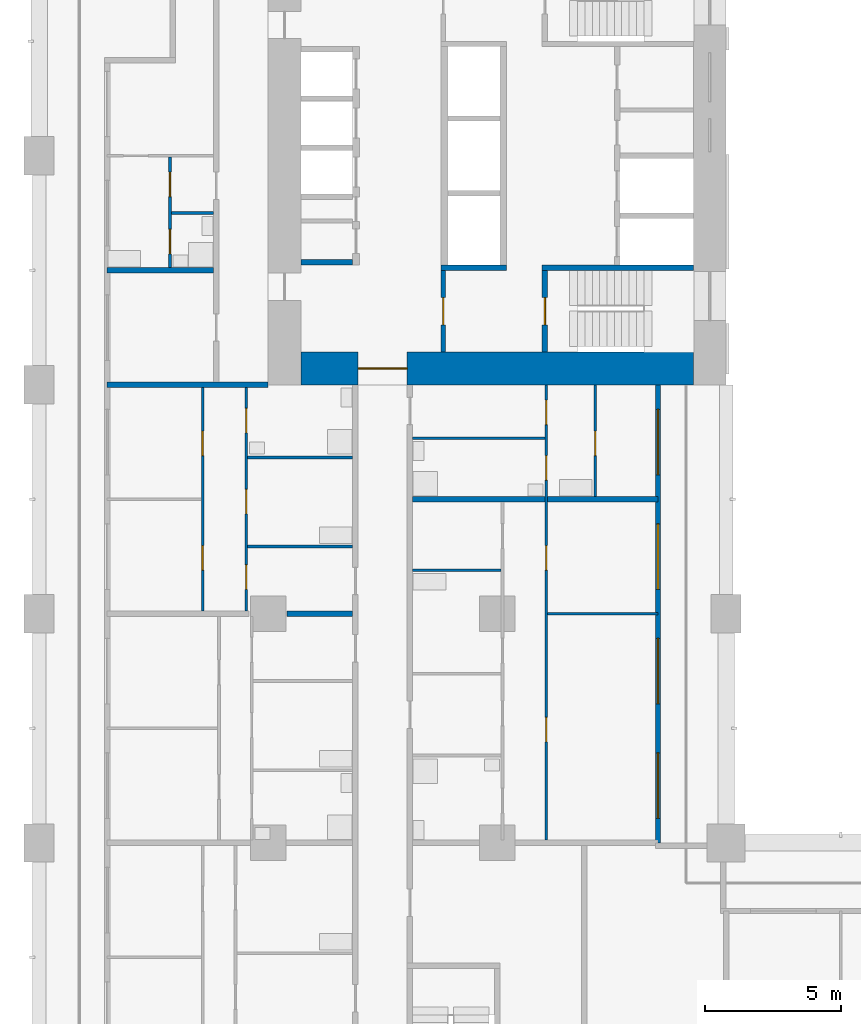
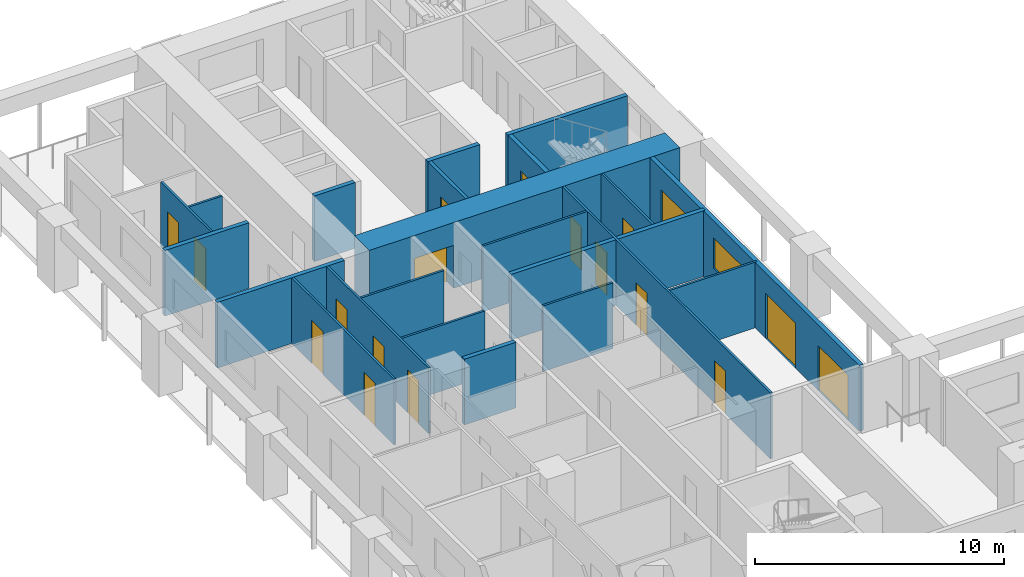
# One storey, part 8 of 19: 22 walls, 18 doors, 1 window, 19 openings.
"""IFC4 building model written with IfcOpenShell, lengths in metres."""

import ifcopenshell
import ifcopenshell.guid

model = None  # the IFC model being written
_history = None  # IfcOwnerHistory: only IFC2X3 demands one
_inside = {}  # id of a spatial element -> (the spatial element, [elements in it])
_under = {}  # id of a project, library or spatial element -> (it, [spatial elements below it])
_declared = {}  # id of a project -> (the project, [libraries it declares])
_typed = {}  # id of a type object -> (the type object, [elements of that type])
_made_of = {}  # id of a material, layer set ... -> (it, [elements and type objects made of it])


def new_model(schema):
    """Start an empty IFC model of exactly this schema.

    Asked for "IFC4X3", IfcOpenShell would pick the latest addendum, in which some entities
    have other attributes; the version numbers below select the first issue.
    IFC2X3 requires an IfcOwnerHistory on every rooted entity: one is made here for all.
    """
    global model, _history
    if schema == "IFC4X3":
        model = ifcopenshell.file(schema_version=(4, 3, 0, 0))
    else:
        model = ifcopenshell.file(schema=schema)
    _inside.clear()
    _under.clear()
    _declared.clear()
    _typed.clear()
    _made_of.clear()
    _history = None
    if model.schema == "IFC2X3":
        org = make("IfcOrganization", Name="unknown")
        user = make(
            "IfcPersonAndOrganization",
            ThePerson=make("IfcPerson", FamilyName="unknown"),
            TheOrganization=org,
        )
        app = make(
            "IfcApplication",
            ApplicationDeveloper=org,
            Version="unknown",
            ApplicationFullName="unknown",
            ApplicationIdentifier="unknown",
        )
        _history = make(
            "IfcOwnerHistory",
            OwningUser=user,
            OwningApplication=app,
            ChangeAction="ADDED",
            CreationDate=0,
        )
    return model


def make(cls, **values):
    """One entity of the class cls with the attributes given. An attribute that is None is left unset."""
    return model.create_entity(
        cls, **{name: value for name, value in values.items() if value is not None}
    )


def rooted(cls, **values):
    """An entity with a GlobalId (a new one), such as an element, a storey or a relation."""
    return make(cls, GlobalId=ifcopenshell.guid.new(), OwnerHistory=_history, **values)


def si_unit(unit_type, name, prefix=None):
    """IfcSIUnit, for example si_unit("LENGTHUNIT", "METRE", prefix="MILLI")."""
    return make("IfcSIUnit", UnitType=unit_type, Prefix=prefix, Name=name)


def assignment(units):
    """IfcUnitAssignment: the units of a project."""
    return None if units is None else make("IfcUnitAssignment", Units=units)


def point(xyz):
    """IfcCartesianPoint."""
    return None if xyz is None else make("IfcCartesianPoint", Coordinates=xyz)


def direction(xyz):
    """IfcDirection."""
    return None if xyz is None else make("IfcDirection", DirectionRatios=xyz)


def frame(location, z_axis=None, x_axis=None):
    """IfcAxis2Placement3D, a coordinate frame: its origin and axes. An axis left out is left unset."""
    return make(
        "IfcAxis2Placement3D",
        Location=point(location),
        Axis=direction(z_axis),
        RefDirection=direction(x_axis),
    )


def frame_2d(location, x_axis=None):
    """IfcAxis2Placement2D, a coordinate frame in the plane: its origin and x axis."""
    return make(
        "IfcAxis2Placement2D", Location=point(location), RefDirection=direction(x_axis)
    )


def origin():
    """The frame at (0, 0, 0) with its axes left unset."""
    return frame((0.0, 0.0, 0.0))


def place(relative_to, where):
    """IfcLocalPlacement: puts the frame where relative to a parent placement (None: the world)."""
    return make(
        "IfcLocalPlacement", PlacementRelTo=relative_to, RelativePlacement=where
    )


def context(
    kind, dimensions, precision=None, world=None, true_north=None, identifier=None
):
    """IfcGeometricRepresentationContext, for example the 3D "Model" context."""
    return make(
        "IfcGeometricRepresentationContext",
        ContextIdentifier=identifier,
        ContextType=kind,
        CoordinateSpaceDimension=dimensions,
        Precision=precision,
        WorldCoordinateSystem=world,
        TrueNorth=true_north,
    )


def subcontext(parent, identifier, kind, view, scale=None):
    """IfcGeometricRepresentationSubContext, for example "Body" below "Model"."""
    return make(
        "IfcGeometricRepresentationSubContext",
        ContextIdentifier=identifier,
        ContextType=kind,
        ParentContext=parent,
        TargetScale=scale,
        TargetView=view,
    )


def project(units=None, contexts=None):
    """IfcProject with its units and contexts."""
    return rooted(
        "IfcProject",
        Name="project",
        RepresentationContexts=contexts,
        UnitsInContext=assignment(units),
    )


def spatial(cls, under=None, at=None, **own):
    """A site, building, storey or space (cls), placed at a placement, below another one or the project."""
    s = rooted(cls, ObjectPlacement=at, **own)
    if under is not None:
        _under.setdefault(under.id(), (under, []))[1].append(s)
    return s


def profile(cls, at=None, kind="AREA", **sizes):
    """A parametric profile (cls). Its sizes go by their IFC names, for example OverallWidth=200.0."""
    return make(cls, ProfileType=kind, Position=at, **sizes)


def rectangle(**sizes):
    """IfcRectangleProfileDef."""
    return profile("IfcRectangleProfileDef", **sizes)


def extrude(swept, where, along, depth):
    """IfcExtrudedAreaSolid: the profile swept, set in the frame where, extruded along a direction by depth."""
    return make(
        "IfcExtrudedAreaSolid",
        SweptArea=swept,
        Position=where,
        ExtrudedDirection=direction(along),
        Depth=depth,
    )


def shape(context_of_items, identifier, shape_type, items):
    """IfcShapeRepresentation: the items that make up one representation, for example the "Body"."""
    return make(
        "IfcShapeRepresentation",
        ContextOfItems=context_of_items,
        RepresentationIdentifier=identifier,
        RepresentationType=shape_type,
        Items=items,
    )


def material(Name=None, Category=None):
    """IfcMaterial."""
    return make("IfcMaterial", Name=Name, Category=Category)


def layer(
    of_material, thickness, ventilated=None, Name=None, Category=None, Priority=None
):
    """IfcMaterialLayer: one layer of a wall or slab, of a material (None: an air gap)."""
    return make(
        "IfcMaterialLayer",
        Material=of_material,
        LayerThickness=thickness,
        IsVentilated=ventilated,
        Name=Name,
        Category=Category,
        Priority=Priority,
    )


def layer_set(layers, Name=None):
    """IfcMaterialLayerSet."""
    return make("IfcMaterialLayerSet", MaterialLayers=layers, LayerSetName=Name)


def made_of(thing, what):
    """Note that an element or type object is made of a material, layer set ...; save() writes the relation."""
    if what is not None:
        _made_of.setdefault(what.id(), (what, []))[1].append(thing)
    return thing


def type_object(cls, material=None, **own):
    """A type object (cls), such as IfcWallType, which elements share."""
    return made_of(rooted(cls, **own), material)


def element(
    cls,
    number,
    at=None,
    inside=None,
    cuts=None,
    type_object=None,
    material=None,
    context=None,
    identifier="Body",
    shape_type=None,
    held_by="IfcProductDefinitionShape",
    body=None,
    shapes=None,
    **own,
):
    """One element of the class cls, such as IfcWall. Its Tag is "e" and its number.

    at: its placement. inside: the storey or other place that contains it. cuts: it is an
    opening in that element (IfcRelVoidsElement). A single representation is given by context,
    identifier, shape_type and body (its items); several are given by shapes. held_by: the class
    of the entity that holds the representations. save() writes the other relations.
    """
    e = rooted(cls, Tag="e%d" % number, ObjectPlacement=at, **own)
    if body is not None:
        shapes = [shape(context, identifier, shape_type, body)]
    if shapes is not None:
        e.Representation = make(held_by, Representations=shapes)
    if inside is not None:
        _inside.setdefault(inside.id(), (inside, []))[1].append(e)
    if cuts is not None:
        rooted(
            "IfcRelVoidsElement", RelatingBuildingElement=cuts, RelatedOpeningElement=e
        )
    if type_object is not None:
        _typed.setdefault(type_object.id(), (type_object, []))[1].append(e)
    return made_of(e, material)


def fill(opening, filler):
    """IfcRelFillsElement: the door or window that sits in an opening."""
    return rooted(
        "IfcRelFillsElement",
        RelatingOpeningElement=opening,
        RelatedBuildingElement=filler,
    )


def aggregate(whole, parts):
    """IfcRelAggregates: a whole, such as a stair, and the parts it consists of."""
    return rooted("IfcRelAggregates", RelatingObject=whole, RelatedObjects=parts)


def save(model, path):
    """Write the relations noted so far, then the file.

    IfcRelAggregates (storeys below a building ...), IfcRelContainedInSpatialStructure (elements
    in a storey), IfcRelDefinesByType, IfcRelAssociatesMaterial and IfcRelDeclares: one each for
    every whole, place, type object, material and project.
    """
    for whole, parts in _under.values():
        aggregate(whole, parts)
    for where, things in _inside.values():
        rooted(
            "IfcRelContainedInSpatialStructure",
            RelatedElements=things,
            RelatingStructure=where,
        )
    for kind, things in _typed.values():
        rooted("IfcRelDefinesByType", RelatedObjects=things, RelatingType=kind)
    for what, things in _made_of.values():
        rooted("IfcRelAssociatesMaterial", RelatedObjects=things, RelatingMaterial=what)
    for by, libraries in _declared.values():
        rooted("IfcRelDeclares", RelatingContext=by, RelatedDefinitions=libraries)
    model.write(path)


model = new_model("IFC4")

# Units and contexts
model_context = context("Model", 3, precision=1e-05, world=origin(), true_north=direction((0.0, 1.0)))
body_context = subcontext(model_context, "Body", "Model", "MODEL_VIEW")
ifc_project = project(units=[si_unit("LENGTHUNIT", "METRE"), si_unit("AREAUNIT", "SQUARE_METRE"), si_unit("VOLUMEUNIT", "CUBIC_METRE"), si_unit("PLANEANGLEUNIT", "RADIAN"), si_unit("MASSUNIT", "GRAM", prefix="KILO")], contexts=[model_context])

# Site, building, storey
site_placement = place(None, origin())
site = spatial("IfcSite", under=ifc_project, at=site_placement, CompositionType="ELEMENT")
building_placement = place(site_placement, origin())
building = spatial("IfcBuilding", under=site, at=building_placement, Name="Vermilion Gate Residences", CompositionType="ELEMENT")
storey_placement = place(building_placement, frame((0.0, 0.0, 49.699951171875)))
storey = spatial("IfcBuildingStorey", under=building, at=storey_placement, Name="L11", CompositionType="ELEMENT", Elevation=49.699951171875)

# Wall, opening, door
ifc_material_1 = material(Name="Masonry blockwork", Category="masonry")
ifc_layer_1 = layer(ifc_material_1, 0.14990234375)
ifc_layer_set_1 = layer_set([ifc_layer_1], Name="BLOCKWORK PARTITION 150 EI 120")
wall_type_1 = type_object("IfcWallType", Name="BLOCKWORK PARTITION 150 EI 120", PredefinedType="PARTITIONING", material=ifc_layer_set_1)
wall_1_placement = place(storey_placement, frame((14.824951171875, 46.199951171875, 0.0), z_axis=(0.0, 0.0, 1.0), x_axis=(0.0, -1.0, 0.0)))
wall_1 = element("IfcWall", 1, at=wall_1_placement, inside=storey, type_object=wall_type_1, Name="Core room partition B11-VE-S", PredefinedType="PARTITIONING", context=body_context, shape_type="SweptSolid", body=[
    extrude(rectangle(XDim=3.0, YDim=0.14990234375, at=frame_2d((1.5, 0.0))), origin(), (0.0, 0.0, 1.0), 3.219970703125),
])
opening_1_placement = place(wall_1_placement, frame((1.0, 0.0, 0.0)))
opening_1 = element("IfcOpeningElement", 2, at=opening_1_placement, cuts=wall_1, Name="Opening DK11115", PredefinedType="OPENING", context=body_context, shape_type="SweptSolid", body=[
    extrude(rectangle(XDim=1.0, YDim=2.10009765625, at=frame_2d((0.5, 1.050048828125))), frame((0.0, 0.0849609375, 0.0), z_axis=(0.0, -1.0, 0.0), x_axis=(1.0, 0.0, 0.0)), (0.0, 0.0, 1.0), 0.169921875),
])
ifc_material_2 = material(Name="Steel", Category="steel")
door_type_1 = type_object("IfcDoorType", Name="FIRE DOOR FD60 1000 X 2100", OperationType="SINGLE_SWING_LEFT", PredefinedType="DOOR", material=ifc_material_2)
door_1_placement = place(opening_1_placement, frame((1.0, 0.0, 0.0), z_axis=(0.0, 0.0, 1.0), x_axis=(-1.0, 0.0, 0.0)))
door_1 = element("IfcDoor", 3, at=door_1_placement, inside=storey, type_object=door_type_1, Name="Stair vestibule door B11", OperationType="SINGLE_SWING_LEFT", OverallHeight=2.10009765625, OverallWidth=1.0, PredefinedType="DOOR", context=body_context, shape_type="SweptSolid", body=[
    extrude(rectangle(XDim=1.0, YDim=2.10009765625, at=frame_2d((0.5, 1.050048828125))), frame((0.0, 0.02490234375, 0.0), z_axis=(0.0, -1.0, 0.0), x_axis=(1.0, 0.0, 0.0)), (0.0, 0.0, 1.0), 0.050048828125),
])
fill(opening_1, door_1)

# Wall, openings, doors, window
ifc_material_3 = material(Name="Insulated steel stud wall with terracotta rainscreen", Category="masonry")
ifc_layer_2 = layer(ifc_material_3, 0.199951171875)
ifc_layer_set_2 = layer_set([ifc_layer_2], Name="EXTERNAL WALL 200 TERRACOTTA RAINSCREEN")
wall_type_2 = type_object("IfcWallType", Name="EXTERNAL WALL 200 TERRACOTTA RAINSCREEN", PredefinedType="SOLIDWALL", material=ifc_layer_set_2)
wall_2_placement = place(storey_placement, frame((22.699951171875, 25.199951171875, 0.0), z_axis=(0.0, 0.0, 1.0), x_axis=(0.0, 1.0, 0.0)))
wall_2 = element("IfcWall", 4, at=wall_2_placement, inside=storey, type_object=wall_type_2, Name="External wall", PredefinedType="SOLIDWALL", context=body_context, shape_type="SweptSolid", body=[
    extrude(rectangle(XDim=16.800048828125, YDim=0.199951171875, at=frame_2d((8.39990234375, 0.0))), origin(), (0.0, 0.0, 1.0), 3.219970703125),
])
opening_2_placement = place(wall_2_placement, frame((0.89990234375, 0.0, 0.0)))
opening_2 = element("IfcOpeningElement", 5, at=opening_2_placement, cuts=wall_2, Name="Opening DE11037", PredefinedType="OPENING", context=body_context, shape_type="SweptSolid", body=[
    extrude(rectangle(XDim=2.39990234375, YDim=2.199951171875, at=frame_2d((1.199951171875, 1.10009765625))), frame((0.0, 0.10986328125, 0.0), z_axis=(0.0, -1.0, 0.0), x_axis=(1.0, 0.0, 0.0)), (0.0, 0.0, 1.0), 0.219970703125),
])
opening_3_placement = place(wall_2_placement, frame((5.10009765625, 0.0, 0.0)))
opening_3 = element("IfcOpeningElement", 6, at=opening_3_placement, cuts=wall_2, Name="Opening DE11038", PredefinedType="OPENING", context=body_context, shape_type="SweptSolid", body=[
    extrude(rectangle(XDim=2.39990234375, YDim=2.199951171875, at=frame_2d((1.199951171875, 1.10009765625))), frame((0.0, 0.10986328125, 0.0), z_axis=(0.0, -1.0, 0.0), x_axis=(1.0, 0.0, 0.0)), (0.0, 0.0, 1.0), 0.219970703125),
])
opening_4_placement = place(wall_2_placement, frame((9.300048828125, 0.0, 0.89990234375)))
opening_4 = element("IfcOpeningElement", 7, at=opening_4_placement, cuts=wall_2, Name="Opening WE11039", PredefinedType="OPENING", context=body_context, shape_type="SweptSolid", body=[
    extrude(rectangle(XDim=2.39990234375, YDim=1.5, at=frame_2d((1.199951171875, 0.75))), frame((0.0, 0.10986328125, 0.0), z_axis=(0.0, -1.0, 0.0), x_axis=(1.0, 0.0, 0.0)), (0.0, 0.0, 1.0), 0.219970703125),
])
opening_5_placement = place(wall_2_placement, frame((13.5, 0.0, 0.0)))
opening_5 = element("IfcOpeningElement", 8, at=opening_5_placement, cuts=wall_2, Name="Opening DE11040", PredefinedType="OPENING", context=body_context, shape_type="SweptSolid", body=[
    extrude(rectangle(XDim=2.39990234375, YDim=2.199951171875, at=frame_2d((1.199951171875, 1.10009765625))), frame((0.0, 0.10986328125, 0.0), z_axis=(0.0, -1.0, 0.0), x_axis=(1.0, 0.0, 0.0)), (0.0, 0.0, 1.0), 0.219970703125),
])
ifc_material_4 = material(Name="Aluminium and clear glass", Category="aluminium")
door_type_2 = type_object("IfcDoorType", Name="SLIDING GLAZED DOOR 2400 X 2200", OperationType="DOUBLE_DOOR_SLIDING", PredefinedType="DOOR", material=ifc_material_4)
door_2_placement = place(opening_2_placement, origin())
door_2 = element("IfcDoor", 9, at=door_2_placement, inside=storey, type_object=door_type_2, Name="Loggia sliding door", OperationType="DOUBLE_DOOR_SLIDING", OverallHeight=2.199951171875, OverallWidth=2.39990234375, PredefinedType="DOOR", context=body_context, shape_type="SweptSolid", body=[
    extrude(rectangle(XDim=2.39990234375, YDim=2.199951171875, at=frame_2d((1.199951171875, 1.10009765625))), frame((0.0, 0.02490234375, 0.0), z_axis=(0.0, -1.0, 0.0), x_axis=(1.0, 0.0, 0.0)), (0.0, 0.0, 1.0), 0.050048828125),
])
fill(opening_2, door_2)
door_3_placement = place(opening_3_placement, origin())
door_3 = element("IfcDoor", 10, at=door_3_placement, inside=storey, type_object=door_type_2, Name="Loggia sliding door", OperationType="DOUBLE_DOOR_SLIDING", OverallHeight=2.199951171875, OverallWidth=2.39990234375, PredefinedType="DOOR", context=body_context, shape_type="SweptSolid", body=[
    extrude(rectangle(XDim=2.39990234375, YDim=2.199951171875, at=frame_2d((1.199951171875, 1.10009765625))), frame((0.0, 0.02490234375, 0.0), z_axis=(0.0, -1.0, 0.0), x_axis=(1.0, 0.0, 0.0)), (0.0, 0.0, 1.0), 0.050048828125),
])
fill(opening_3, door_3)
door_4_placement = place(opening_5_placement, origin())
door_4 = element("IfcDoor", 11, at=door_4_placement, inside=storey, type_object=door_type_2, Name="Loggia sliding door", OperationType="DOUBLE_DOOR_SLIDING", OverallHeight=2.199951171875, OverallWidth=2.39990234375, PredefinedType="DOOR", context=body_context, shape_type="SweptSolid", body=[
    extrude(rectangle(XDim=2.39990234375, YDim=2.199951171875, at=frame_2d((1.199951171875, 1.10009765625))), frame((0.0, 0.02490234375, 0.0), z_axis=(0.0, -1.0, 0.0), x_axis=(1.0, 0.0, 0.0)), (0.0, 0.0, 1.0), 0.050048828125),
])
fill(opening_5, door_4)
ifc_material_5 = material(Name="Aluminium and clear glass", Category="aluminium")
window_type = type_object("IfcWindowType", Name="WINDOW 2400 X 1500", PartitioningType="SINGLE_PANEL", PredefinedType="WINDOW", material=ifc_material_5)
window_placement = place(opening_4_placement, origin())
window = element("IfcWindow", 12, at=window_placement, inside=storey, type_object=window_type, Name="Window", OverallHeight=1.5, OverallWidth=2.39990234375, PartitioningType="SINGLE_PANEL", PredefinedType="WINDOW", context=body_context, shape_type="SweptSolid", body=[
    extrude(rectangle(XDim=2.39990234375, YDim=1.5, at=frame_2d((1.199951171875, 0.75))), frame((0.0, 0.030029296875, 0.0), z_axis=(0.0, -1.0, 0.0), x_axis=(1.0, 0.0, 0.0)), (0.0, 0.0, 1.0), 0.06005859375),
])
fill(opening_4, window)

# Walls
ifc_material_6 = material(Name="Plasterboard on steel studs", Category="steel")
ifc_layer_3 = layer(ifc_material_6, 0.10009765625)
ifc_layer_set_3 = layer_set([ifc_layer_3], Name="PARTITION 100")
wall_type_3 = type_object("IfcWallType", Name="PARTITION 100", PredefinedType="PARTITIONING", material=ifc_layer_set_3)
wall_3_placement = place(storey_placement, frame((18.64990234375, 33.60009765625, 0.0), z_axis=(0.0, 0.0, 1.0), x_axis=(1.0, 0.0, 0.0)))
element("IfcWall", 13, at=wall_3_placement, inside=storey, type_object=wall_type_3, Name="Partition", PredefinedType="PARTITIONING", context=body_context, shape_type="SweptSolid", body=[
    extrude(rectangle(XDim=4.050048828125, YDim=0.10009765625, at=frame_2d((2.02490234375, 0.0))), origin(), (0.0, 0.0, 1.0), 3.219970703125),
])
wall_4_placement = place(storey_placement, frame((13.699951171875, 35.199951171875, 0.0), z_axis=(0.0, 0.0, 1.0), x_axis=(1.0, 0.0, 0.0)))
element("IfcWall", 14, at=wall_4_placement, inside=storey, type_object=wall_type_3, Name="Partition", PredefinedType="PARTITIONING", context=body_context, shape_type="SweptSolid", body=[
    extrude(rectangle(XDim=3.25, YDim=0.10009765625, at=frame_2d((1.625, 0.0))), origin(), (0.0, 0.0, 1.0), 3.219970703125),
])
for number, where, z_axis, x_axis, name in (
    (15, (7.64990234375, 36.06689453125, 0.0), (0.0, 0.0, 1.0), (1.0, 0.0, 0.0), "Partition"),
    (16, (7.64990234375, 39.3330078125, 0.0), (0.0, 0.0, 1.0), (1.0, 0.0, 0.0), "Partition"),
):
    element("IfcWall", number, at=place(storey_placement, frame(where, z_axis=z_axis, x_axis=x_axis)), inside=storey, type_object=wall_type_3, Name=name, PredefinedType="PARTITIONING", context=body_context, shape_type="SweptSolid", body=[
        extrude(rectangle(XDim=3.85009765625, YDim=0.10009765625, at=frame_2d((1.925048828125, 0.0))), origin(), (0.0, 0.0, 1.0), 3.219970703125),
    ])
wall_5_placement = place(storey_placement, frame((13.699951171875, 40.0400390625, 0.0), z_axis=(0.0, 0.0, 1.0), x_axis=(1.0, 0.0, 0.0)))
element("IfcWall", 17, at=wall_5_placement, inside=storey, type_object=wall_type_3, Name="Partition", PredefinedType="PARTITIONING", context=body_context, shape_type="SweptSolid", body=[
    extrude(rectangle(XDim=4.85009765625, YDim=0.10009765625, at=frame_2d((2.425048828125, 0.0))), origin(), (0.0, 0.0, 1.0), 3.219970703125),
])
wall_6_placement = place(storey_placement, frame((4.85009765625, 48.300048828125, 0.0), z_axis=(0.0, 0.0, 1.0), x_axis=(1.0, 0.0, 0.0)))
element("IfcWall", 18, at=wall_6_placement, inside=storey, type_object=wall_type_3, Name="Partition", PredefinedType="PARTITIONING", context=body_context, shape_type="SweptSolid", body=[
    extrude(rectangle(XDim=1.5498046875, YDim=0.10009765625, at=frame_2d((0.77490234375, 0.0))), origin(), (0.0, 0.0, 1.0), 3.219970703125),
])

# Wall, openings, doors
wall_7_placement = place(storey_placement, frame((4.800048828125, 46.300048828125, 0.0), z_axis=(0.0, 0.0, 1.0), x_axis=(0.0, 1.0, 0.0)))
wall_7 = element("IfcWall", 19, at=wall_7_placement, inside=storey, type_object=wall_type_3, Name="Partition", PredefinedType="PARTITIONING", context=body_context, shape_type="SweptSolid", body=[
    extrude(rectangle(XDim=4.050048828125, YDim=0.10009765625, at=frame_2d((2.02490234375, 0.0))), origin(), (0.0, 0.0, 1.0), 3.219970703125),
])
opening_6_placement = place(wall_7_placement, frame((2.60009765625, 0.0, 0.0)))
opening_6 = element("IfcOpeningElement", 20, at=opening_6_placement, cuts=wall_7, Name="Opening DA10043", PredefinedType="OPENING", context=body_context, shape_type="SweptSolid", body=[
    extrude(rectangle(XDim=0.89990234375, YDim=2.10009765625, at=frame_2d((0.449951171875, 1.050048828125))), frame((0.0, 0.06005859375, 0.0), z_axis=(0.0, -1.0, 0.0), x_axis=(1.0, 0.0, 0.0)), (0.0, 0.0, 1.0), 0.1201171875),
])
opening_7_placement = place(wall_7_placement, frame((0.5, 0.0, 0.0)))
opening_7 = element("IfcOpeningElement", 21, at=opening_7_placement, cuts=wall_7, Name="Opening DA10044", PredefinedType="OPENING", context=body_context, shape_type="SweptSolid", body=[
    extrude(rectangle(XDim=0.89990234375, YDim=2.10009765625, at=frame_2d((0.449951171875, 1.050048828125))), frame((0.0, 0.06005859375, 0.0), z_axis=(0.0, -1.0, 0.0), x_axis=(1.0, 0.0, 0.0)), (0.0, 0.0, 1.0), 0.1201171875),
])
ifc_material_7 = material(Name="Timber", Category="wood")
door_type_3 = type_object("IfcDoorType", Name="INTERIOR DOOR 900 X 2100", OperationType="SINGLE_SWING_LEFT", PredefinedType="DOOR", material=ifc_material_7)
door_5_placement = place(opening_6_placement, origin())
door_5 = element("IfcDoor", 22, at=door_5_placement, inside=storey, type_object=door_type_3, Name="Interior door", OperationType="SINGLE_SWING_RIGHT", OverallHeight=2.10009765625, OverallWidth=0.89990234375, PredefinedType="DOOR", context=body_context, shape_type="SweptSolid", body=[
    extrude(rectangle(XDim=0.89990234375, YDim=2.10009765625, at=frame_2d((0.449951171875, 1.050048828125))), frame((0.0, 0.02490234375, 0.0), z_axis=(0.0, -1.0, 0.0), x_axis=(1.0, 0.0, 0.0)), (0.0, 0.0, 1.0), 0.050048828125),
])
fill(opening_6, door_5)
door_6_placement = place(opening_7_placement, frame((0.89990234375, 0.0, 0.0), z_axis=(0.0, 0.0, 1.0), x_axis=(-1.0, 0.0, 0.0)))
door_6 = element("IfcDoor", 23, at=door_6_placement, inside=storey, type_object=door_type_3, Name="Interior door", OperationType="SINGLE_SWING_RIGHT", OverallHeight=2.10009765625, OverallWidth=0.89990234375, PredefinedType="DOOR", context=body_context, shape_type="SweptSolid", body=[
    extrude(rectangle(XDim=0.89990234375, YDim=2.10009765625, at=frame_2d((0.449951171875, 1.050048828125))), frame((0.0, 0.02490234375, 0.0), z_axis=(0.0, -1.0, 0.0), x_axis=(1.0, 0.0, 0.0)), (0.0, 0.0, 1.0), 0.050048828125),
])
fill(opening_7, door_6)

wall_8_placement = place(storey_placement, frame((6.0, 33.699951171875, 0.0), z_axis=(0.0, 0.0, 1.0), x_axis=(0.0, 1.0, 0.0)))
wall_8 = element("IfcWall", 24, at=wall_8_placement, inside=storey, type_object=wall_type_3, Name="Partition", PredefinedType="PARTITIONING", context=body_context, shape_type="SweptSolid", body=[
    extrude(rectangle(XDim=8.199951171875, YDim=0.10009765625, at=frame_2d((4.10009765625, 0.0))), origin(), (0.0, 0.0, 1.0), 3.219970703125),
])
opening_8_placement = place(wall_8_placement, frame((1.5, 0.0, 0.0)))
opening_8 = element("IfcOpeningElement", 25, at=opening_8_placement, cuts=wall_8, Name="Opening DA10047", PredefinedType="OPENING", context=body_context, shape_type="SweptSolid", body=[
    extrude(rectangle(XDim=0.89990234375, YDim=2.10009765625, at=frame_2d((0.449951171875, 1.050048828125))), frame((0.0, 0.06005859375, 0.0), z_axis=(0.0, -1.0, 0.0), x_axis=(1.0, 0.0, 0.0)), (0.0, 0.0, 1.0), 0.1201171875),
])
opening_9_placement = place(wall_8_placement, frame((5.699951171875, 0.0, 0.0)))
opening_9 = element("IfcOpeningElement", 26, at=opening_9_placement, cuts=wall_8, Name="Opening DA10048", PredefinedType="OPENING", context=body_context, shape_type="SweptSolid", body=[
    extrude(rectangle(XDim=0.89990234375, YDim=2.10009765625, at=frame_2d((0.449951171875, 1.050048828125))), frame((0.0, 0.06005859375, 0.0), z_axis=(0.0, -1.0, 0.0), x_axis=(1.0, 0.0, 0.0)), (0.0, 0.0, 1.0), 0.1201171875),
])
door_7_placement = place(opening_8_placement, origin())
door_7 = element("IfcDoor", 27, at=door_7_placement, inside=storey, type_object=door_type_3, Name="Interior door", OperationType="SINGLE_SWING_LEFT", OverallHeight=2.10009765625, OverallWidth=0.89990234375, PredefinedType="DOOR", context=body_context, shape_type="SweptSolid", body=[
    extrude(rectangle(XDim=0.89990234375, YDim=2.10009765625, at=frame_2d((0.449951171875, 1.050048828125))), frame((0.0, 0.02490234375, 0.0), z_axis=(0.0, -1.0, 0.0), x_axis=(1.0, 0.0, 0.0)), (0.0, 0.0, 1.0), 0.050048828125),
])
fill(opening_8, door_7)
door_8_placement = place(opening_9_placement, origin())
door_8 = element("IfcDoor", 28, at=door_8_placement, inside=storey, type_object=door_type_3, Name="Interior door", OperationType="SINGLE_SWING_LEFT", OverallHeight=2.10009765625, OverallWidth=0.89990234375, PredefinedType="DOOR", context=body_context, shape_type="SweptSolid", body=[
    extrude(rectangle(XDim=0.89990234375, YDim=2.10009765625, at=frame_2d((0.449951171875, 1.050048828125))), frame((0.0, 0.02490234375, 0.0), z_axis=(0.0, -1.0, 0.0), x_axis=(1.0, 0.0, 0.0)), (0.0, 0.0, 1.0), 0.050048828125),
])
fill(opening_9, door_8)

wall_9_placement = place(storey_placement, frame((7.60009765625, 33.699951171875, 0.0), z_axis=(0.0, 0.0, 1.0), x_axis=(0.0, 1.0, 0.0)))
wall_9 = element("IfcWall", 29, at=wall_9_placement, inside=storey, type_object=wall_type_3, Name="Partition", PredefinedType="PARTITIONING", context=body_context, shape_type="SweptSolid", body=[
    extrude(rectangle(XDim=8.199951171875, YDim=0.10009765625, at=frame_2d((4.10009765625, 0.0))), origin(), (0.0, 0.0, 1.0), 3.219970703125),
])
opening_10_placement = place(wall_9_placement, frame((0.800048828125, 0.0, 0.0)))
opening_10 = element("IfcOpeningElement", 30, at=opening_10_placement, cuts=wall_9, Name="Opening DA10057", PredefinedType="OPENING", context=body_context, shape_type="SweptSolid", body=[
    extrude(rectangle(XDim=0.89990234375, YDim=2.10009765625, at=frame_2d((0.449951171875, 1.050048828125))), frame((0.0, 0.06005859375, 0.0), z_axis=(0.0, -1.0, 0.0), x_axis=(1.0, 0.0, 0.0)), (0.0, 0.0, 1.0), 0.1201171875),
])
opening_11_placement = place(wall_9_placement, frame((3.56689453125, 0.0, 0.0)))
opening_11 = element("IfcOpeningElement", 31, at=opening_11_placement, cuts=wall_9, Name="Opening DA10058", PredefinedType="OPENING", context=body_context, shape_type="SweptSolid", body=[
    extrude(rectangle(XDim=0.89990234375, YDim=2.10009765625, at=frame_2d((0.449951171875, 1.050048828125))), frame((0.0, 0.06005859375, 0.0), z_axis=(0.0, -1.0, 0.0), x_axis=(1.0, 0.0, 0.0)), (0.0, 0.0, 1.0), 0.1201171875),
])
opening_12_placement = place(wall_9_placement, frame((6.532958984375, 0.0, 0.0)))
opening_12 = element("IfcOpeningElement", 32, at=opening_12_placement, cuts=wall_9, Name="Opening DA10059", PredefinedType="OPENING", context=body_context, shape_type="SweptSolid", body=[
    extrude(rectangle(XDim=0.89990234375, YDim=2.10009765625, at=frame_2d((0.449951171875, 1.050048828125))), frame((0.0, 0.06005859375, 0.0), z_axis=(0.0, -1.0, 0.0), x_axis=(1.0, 0.0, 0.0)), (0.0, 0.0, 1.0), 0.1201171875),
])
door_9_placement = place(opening_10_placement, frame((0.89990234375, 0.0, 0.0), z_axis=(0.0, 0.0, 1.0), x_axis=(-1.0, 0.0, 0.0)))
door_9 = element("IfcDoor", 33, at=door_9_placement, inside=storey, type_object=door_type_3, Name="Interior door", OperationType="SINGLE_SWING_RIGHT", OverallHeight=2.10009765625, OverallWidth=0.89990234375, PredefinedType="DOOR", context=body_context, shape_type="SweptSolid", body=[
    extrude(rectangle(XDim=0.89990234375, YDim=2.10009765625, at=frame_2d((0.449951171875, 1.050048828125))), frame((0.0, 0.02490234375, 0.0), z_axis=(0.0, -1.0, 0.0), x_axis=(1.0, 0.0, 0.0)), (0.0, 0.0, 1.0), 0.050048828125),
])
fill(opening_10, door_9)
door_10_placement = place(opening_11_placement, frame((0.89990234375, 0.0, 0.0), z_axis=(0.0, 0.0, 1.0), x_axis=(-1.0, 0.0, 0.0)))
door_10 = element("IfcDoor", 34, at=door_10_placement, inside=storey, type_object=door_type_3, Name="Interior door", OperationType="SINGLE_SWING_LEFT", OverallHeight=2.10009765625, OverallWidth=0.89990234375, PredefinedType="DOOR", context=body_context, shape_type="SweptSolid", body=[
    extrude(rectangle(XDim=0.89990234375, YDim=2.10009765625, at=frame_2d((0.449951171875, 1.050048828125))), frame((0.0, 0.02490234375, 0.0), z_axis=(0.0, -1.0, 0.0), x_axis=(1.0, 0.0, 0.0)), (0.0, 0.0, 1.0), 0.050048828125),
])
fill(opening_11, door_10)
door_11_placement = place(opening_12_placement, frame((0.89990234375, 0.0, 0.0), z_axis=(0.0, 0.0, 1.0), x_axis=(-1.0, 0.0, 0.0)))
door_11 = element("IfcDoor", 35, at=door_11_placement, inside=storey, type_object=door_type_3, Name="Interior door", OperationType="SINGLE_SWING_RIGHT", OverallHeight=2.10009765625, OverallWidth=0.89990234375, PredefinedType="DOOR", context=body_context, shape_type="SweptSolid", body=[
    extrude(rectangle(XDim=0.89990234375, YDim=2.10009765625, at=frame_2d((0.449951171875, 1.050048828125))), frame((0.0, 0.02490234375, 0.0), z_axis=(0.0, -1.0, 0.0), x_axis=(1.0, 0.0, 0.0)), (0.0, 0.0, 1.0), 0.050048828125),
])
fill(opening_12, door_11)

wall_10_placement = place(storey_placement, frame((18.60009765625, 25.300048828125, 0.0), z_axis=(0.0, 0.0, 1.0), x_axis=(0.0, 1.0, 0.0)))
wall_10 = element("IfcWall", 36, at=wall_10_placement, inside=storey, type_object=wall_type_3, Name="Partition", PredefinedType="PARTITIONING", context=body_context, shape_type="SweptSolid", body=[
    extrude(rectangle(XDim=16.699951171875, YDim=0.10009765625, at=frame_2d((8.35009765625, 0.0))), origin(), (0.0, 0.0, 1.0), 3.219970703125),
])
opening_13_placement = place(wall_10_placement, frame((3.60009765625, 0.0, 0.0)))
opening_13 = element("IfcOpeningElement", 37, at=opening_13_placement, cuts=wall_10, Name="Opening DA10075", PredefinedType="OPENING", context=body_context, shape_type="SweptSolid", body=[
    extrude(rectangle(XDim=0.89990234375, YDim=2.10009765625, at=frame_2d((0.449951171875, 1.050048828125))), frame((0.0, 0.06005859375, 0.0), z_axis=(0.0, -1.0, 0.0), x_axis=(1.0, 0.0, 0.0)), (0.0, 0.0, 1.0), 0.1201171875),
])
opening_14_placement = place(wall_10_placement, frame((9.89990234375, 0.0, 0.0)))
opening_14 = element("IfcOpeningElement", 38, at=opening_14_placement, cuts=wall_10, Name="Opening DA10076", PredefinedType="OPENING", context=body_context, shape_type="SweptSolid", body=[
    extrude(rectangle(XDim=0.89990234375, YDim=2.10009765625, at=frame_2d((0.449951171875, 1.050048828125))), frame((0.0, 0.06005859375, 0.0), z_axis=(0.0, -1.0, 0.0), x_axis=(1.0, 0.0, 0.0)), (0.0, 0.0, 1.0), 0.1201171875),
])
opening_15_placement = place(wall_10_placement, frame((15.239990234375, 0.0, 0.0)))
opening_15 = element("IfcOpeningElement", 39, at=opening_15_placement, cuts=wall_10, Name="Opening DA10077", PredefinedType="OPENING", context=body_context, shape_type="SweptSolid", body=[
    extrude(rectangle(XDim=0.89990234375, YDim=2.10009765625, at=frame_2d((0.449951171875, 1.050048828125))), frame((0.0, 0.06005859375, 0.0), z_axis=(0.0, -1.0, 0.0), x_axis=(1.0, 0.0, 0.0)), (0.0, 0.0, 1.0), 0.1201171875),
])
opening_16_placement = place(wall_10_placement, frame((13.199951171875, 0.0, 0.0)))
opening_16 = element("IfcOpeningElement", 40, at=opening_16_placement, cuts=wall_10, Name="Opening DA10078", PredefinedType="OPENING", context=body_context, shape_type="SweptSolid", body=[
    extrude(rectangle(XDim=0.89990234375, YDim=2.10009765625, at=frame_2d((0.449951171875, 1.050048828125))), frame((0.0, 0.06005859375, 0.0), z_axis=(0.0, -1.0, 0.0), x_axis=(1.0, 0.0, 0.0)), (0.0, 0.0, 1.0), 0.1201171875),
])
door_12_placement = place(opening_13_placement, frame((0.89990234375, 0.0, 0.0), z_axis=(0.0, 0.0, 1.0), x_axis=(-1.0, 0.0, 0.0)))
door_12 = element("IfcDoor", 41, at=door_12_placement, inside=storey, type_object=door_type_3, Name="Interior door", OperationType="SINGLE_SWING_RIGHT", OverallHeight=2.10009765625, OverallWidth=0.89990234375, PredefinedType="DOOR", context=body_context, shape_type="SweptSolid", body=[
    extrude(rectangle(XDim=0.89990234375, YDim=2.10009765625, at=frame_2d((0.449951171875, 1.050048828125))), frame((0.0, 0.02490234375, 0.0), z_axis=(0.0, -1.0, 0.0), x_axis=(1.0, 0.0, 0.0)), (0.0, 0.0, 1.0), 0.050048828125),
])
fill(opening_13, door_12)
door_13_placement = place(opening_14_placement, frame((0.89990234375, 0.0, 0.0), z_axis=(0.0, 0.0, 1.0), x_axis=(-1.0, 0.0, 0.0)))
door_13 = element("IfcDoor", 42, at=door_13_placement, inside=storey, type_object=door_type_3, Name="Interior door", OperationType="SINGLE_SWING_RIGHT", OverallHeight=2.10009765625, OverallWidth=0.89990234375, PredefinedType="DOOR", context=body_context, shape_type="SweptSolid", body=[
    extrude(rectangle(XDim=0.89990234375, YDim=2.10009765625, at=frame_2d((0.449951171875, 1.050048828125))), frame((0.0, 0.02490234375, 0.0), z_axis=(0.0, -1.0, 0.0), x_axis=(1.0, 0.0, 0.0)), (0.0, 0.0, 1.0), 0.050048828125),
])
fill(opening_14, door_13)
door_14_placement = place(opening_15_placement, frame((0.89990234375, 0.0, 0.0), z_axis=(0.0, 0.0, 1.0), x_axis=(-1.0, 0.0, 0.0)))
door_14 = element("IfcDoor", 43, at=door_14_placement, inside=storey, type_object=door_type_3, Name="Interior door", OperationType="SINGLE_SWING_LEFT", OverallHeight=2.10009765625, OverallWidth=0.89990234375, PredefinedType="DOOR", context=body_context, shape_type="SweptSolid", body=[
    extrude(rectangle(XDim=0.89990234375, YDim=2.10009765625, at=frame_2d((0.449951171875, 1.050048828125))), frame((0.0, 0.02490234375, 0.0), z_axis=(0.0, -1.0, 0.0), x_axis=(1.0, 0.0, 0.0)), (0.0, 0.0, 1.0), 0.050048828125),
])
fill(opening_15, door_14)
door_15_placement = place(opening_16_placement, frame((0.89990234375, 0.0, 0.0), z_axis=(0.0, 0.0, 1.0), x_axis=(-1.0, 0.0, 0.0)))
door_15 = element("IfcDoor", 44, at=door_15_placement, inside=storey, type_object=door_type_3, Name="Interior door", OperationType="SINGLE_SWING_RIGHT", OverallHeight=2.10009765625, OverallWidth=0.89990234375, PredefinedType="DOOR", context=body_context, shape_type="SweptSolid", body=[
    extrude(rectangle(XDim=0.89990234375, YDim=2.10009765625, at=frame_2d((0.449951171875, 1.050048828125))), frame((0.0, 0.02490234375, 0.0), z_axis=(0.0, -1.0, 0.0), x_axis=(1.0, 0.0, 0.0)), (0.0, 0.0, 1.0), 0.050048828125),
])
fill(opening_16, door_15)

# Wall, opening, door
wall_11_placement = place(storey_placement, frame((20.39990234375, 37.89990234375, 0.0), z_axis=(0.0, 0.0, 1.0), x_axis=(0.0, 1.0, 0.0)))
wall_11 = element("IfcWall", 45, at=wall_11_placement, inside=storey, type_object=wall_type_3, Name="Partition", PredefinedType="PARTITIONING", context=body_context, shape_type="SweptSolid", body=[
    extrude(rectangle(XDim=4.10009765625, YDim=0.10009765625, at=frame_2d((2.050048828125, 0.0))), origin(), (0.0, 0.0, 1.0), 3.219970703125),
])
opening_17_placement = place(wall_11_placement, frame((1.5, 0.0, 0.0)))
opening_17 = element("IfcOpeningElement", 46, at=opening_17_placement, cuts=wall_11, Name="Opening DA10079", PredefinedType="OPENING", context=body_context, shape_type="SweptSolid", body=[
    extrude(rectangle(XDim=0.89990234375, YDim=2.10009765625, at=frame_2d((0.449951171875, 1.050048828125))), frame((0.0, 0.06005859375, 0.0), z_axis=(0.0, -1.0, 0.0), x_axis=(1.0, 0.0, 0.0)), (0.0, 0.0, 1.0), 0.1201171875),
])
door_16_placement = place(opening_17_placement, origin())
door_16 = element("IfcDoor", 47, at=door_16_placement, inside=storey, type_object=door_type_3, Name="Interior door", OperationType="SINGLE_SWING_LEFT", OverallHeight=2.10009765625, OverallWidth=0.89990234375, PredefinedType="DOOR", context=body_context, shape_type="SweptSolid", body=[
    extrude(rectangle(XDim=0.89990234375, YDim=2.10009765625, at=frame_2d((0.449951171875, 1.050048828125))), frame((0.0, 0.02490234375, 0.0), z_axis=(0.0, -1.0, 0.0), x_axis=(1.0, 0.0, 0.0)), (0.0, 0.0, 1.0), 0.050048828125),
])
fill(opening_17, door_16)

# Walls
ifc_material_8 = material(Name="Fire-rated plasterboard on steel studs", Category="steel")
ifc_layer_4 = layer(ifc_material_8, 0.199951171875)
ifc_layer_set_4 = layer_set([ifc_layer_4], Name="PARTY WALL 200 EI 120")
wall_type_4 = type_object("IfcWallType", Name="PARTY WALL 200 EI 120", PredefinedType="PARTITIONING", material=ifc_layer_set_4)
wall_12_placement = place(storey_placement, frame((9.10009765625, 33.60009765625, 0.0), z_axis=(0.0, 0.0, 1.0), x_axis=(1.0, 0.0, 0.0)))
element("IfcWall", 48, at=wall_12_placement, inside=storey, type_object=wall_type_4, Name="Party and corridor wall", PredefinedType="PARTITIONING", context=body_context, shape_type="SweptSolid", body=[
    extrude(rectangle(XDim=2.39990234375, YDim=0.199951171875, at=frame_2d((1.199951171875, 0.0))), origin(), (0.0, 0.0, 1.0), 3.219970703125),
])
wall_13_placement = place(storey_placement, frame((13.699951171875, 37.800048828125, 0.0), z_axis=(0.0, 0.0, 1.0), x_axis=(1.0, 0.0, 0.0)))
element("IfcWall", 49, at=wall_13_placement, inside=storey, type_object=wall_type_4, Name="Party and corridor wall", PredefinedType="PARTITIONING", context=body_context, shape_type="SweptSolid", body=[
    extrude(rectangle(XDim=9.0, YDim=0.199951171875, at=frame_2d((4.5, 0.0))), origin(), (0.0, 0.0, 1.0), 3.219970703125),
])
wall_14_placement = place(storey_placement, frame((2.5, 42.0, 0.0), z_axis=(0.0, 0.0, 1.0), x_axis=(1.0, 0.0, 0.0)))
element("IfcWall", 50, at=wall_14_placement, inside=storey, type_object=wall_type_4, Name="Party and corridor wall", PredefinedType="PARTITIONING", context=body_context, shape_type="SweptSolid", body=[
    extrude(rectangle(XDim=5.89990234375, YDim=0.199951171875, at=frame_2d((2.949951171875, 0.0))), origin(), (0.0, 0.0, 1.0), 3.219970703125),
])
wall_15_placement = place(storey_placement, frame((2.5, 46.199951171875, 0.0), z_axis=(0.0, 0.0, 1.0), x_axis=(1.0, 0.0, 0.0)))
element("IfcWall", 51, at=wall_15_placement, inside=storey, type_object=wall_type_4, Name="Party and corridor wall", PredefinedType="PARTITIONING", context=body_context, shape_type="SweptSolid", body=[
    extrude(rectangle(XDim=3.89990234375, YDim=0.199951171875, at=frame_2d((1.949951171875, 0.0))), origin(), (0.0, 0.0, 1.0), 3.219970703125),
])
ifc_material_9 = material(Name="Concrete C60", Category="concrete")
ifc_layer_5 = layer(ifc_material_9, 0.199951171875)
ifc_layer_set_5 = layer_set([ifc_layer_5], Name="RC CORE INTERNAL WALL 200 C60")
wall_type_5 = type_object("IfcWallType", Name="RC CORE INTERNAL WALL 200 C60", PredefinedType="SHEAR", material=ifc_layer_set_5)
wall_16_placement = place(storey_placement, frame((9.60009765625, 46.5, 0.0), z_axis=(0.0, 0.0, 1.0), x_axis=(1.0, 0.0, 0.0)))
element("IfcWall", 52, at=wall_16_placement, inside=storey, type_object=wall_type_5, Name="Core internal wall B11-LR-DE", PredefinedType="SHEAR", context=body_context, shape_type="SweptSolid", body=[
    extrude(rectangle(XDim=1.89990234375, YDim=0.199951171875, at=frame_2d((0.949951171875, 0.0))), origin(), (0.0, 0.0, 1.0), 3.219970703125),
])
wall_17_placement = place(storey_placement, frame((14.75, 46.300048828125, 0.0), z_axis=(0.0, 0.0, 1.0), x_axis=(1.0, 0.0, 0.0)))
element("IfcWall", 53, at=wall_17_placement, inside=storey, type_object=wall_type_5, Name="Core internal wall B11-EDIV1", PredefinedType="SHEAR", context=body_context, shape_type="SweptSolid", body=[
    extrude(rectangle(XDim=2.39990234375, YDim=0.199951171875, at=frame_2d((1.199951171875, 0.0))), origin(), (0.0, 0.0, 1.0), 3.219970703125),
])
wall_18_placement = place(storey_placement, frame((18.449951171875, 46.300048828125, 0.0), z_axis=(0.0, 0.0, 1.0), x_axis=(1.0, 0.0, 0.0)))
element("IfcWall", 54, at=wall_18_placement, inside=storey, type_object=wall_type_5, Name="Core internal wall B11-EDIV2", PredefinedType="SHEAR", context=body_context, shape_type="SweptSolid", body=[
    extrude(rectangle(XDim=5.550048828125, YDim=0.199951171875, at=frame_2d((2.77490234375, 0.0))), origin(), (0.0, 0.0, 1.0), 3.219970703125),
])

# Wall, opening, door
wall_19_placement = place(storey_placement, frame((18.550048828125, 46.199951171875, 0.0), z_axis=(0.0, 0.0, 1.0), x_axis=(0.0, -1.0, 0.0)))
wall_19 = element("IfcWall", 55, at=wall_19_placement, inside=storey, type_object=wall_type_5, Name="Core internal wall B11-STE-S", PredefinedType="SHEAR", context=body_context, shape_type="SweptSolid", body=[
    extrude(rectangle(XDim=3.0, YDim=0.199951171875, at=frame_2d((1.5, 0.0))), origin(), (0.0, 0.0, 1.0), 3.219970703125),
])
opening_18_placement = place(wall_19_placement, frame((1.0, 0.0, 0.0)))
opening_18 = element("IfcOpeningElement", 56, at=opening_18_placement, cuts=wall_19, Name="Opening DK11116", PredefinedType="OPENING", context=body_context, shape_type="SweptSolid", body=[
    extrude(rectangle(XDim=1.0, YDim=2.10009765625, at=frame_2d((0.5, 1.050048828125))), frame((0.0, 0.10986328125, 0.0), z_axis=(0.0, -1.0, 0.0), x_axis=(1.0, 0.0, 0.0)), (0.0, 0.0, 1.0), 0.219970703125),
])
door_17_placement = place(opening_18_placement, origin())
door_17 = element("IfcDoor", 57, at=door_17_placement, inside=storey, type_object=door_type_1, Name="Stair door B11", OperationType="SINGLE_SWING_LEFT", OverallHeight=2.10009765625, OverallWidth=1.0, PredefinedType="DOOR", context=body_context, shape_type="SweptSolid", body=[
    extrude(rectangle(XDim=1.0, YDim=2.10009765625, at=frame_2d((0.5, 1.050048828125))), frame((0.0, 0.02490234375, 0.0), z_axis=(0.0, -1.0, 0.0), x_axis=(1.0, 0.0, 0.0)), (0.0, 0.0, 1.0), 0.050048828125),
])
fill(opening_18, door_17)

ifc_material_10 = material(Name="Concrete C80", Category="concrete")
ifc_layer_6 = layer(ifc_material_10, 1.199951171875)
ifc_layer_set_6 = layer_set([ifc_layer_6], Name="RC CORE WALL 1200 C80")
wall_type_6 = type_object("IfcWallType", Name="RC CORE WALL 1200 C80", PredefinedType="SHEAR", material=ifc_layer_set_6)
wall_20_placement = place(storey_placement, frame((9.60009765625, 42.60009765625, 0.0), z_axis=(0.0, 0.0, 1.0), x_axis=(1.0, 0.0, 0.0)))
wall_20 = element("IfcWall", 58, at=wall_20_placement, inside=storey, type_object=wall_type_6, Name="Core wall B11-OUT-BK", PredefinedType="SHEAR", context=body_context, shape_type="SweptSolid", body=[
    extrude(rectangle(XDim=14.39990234375, YDim=1.199951171875, at=frame_2d((7.199951171875, 0.0))), origin(), (0.0, 0.0, 1.0), 3.219970703125),
])
opening_19_placement = place(wall_20_placement, frame((2.10009765625, 0.0, 0.0)))
opening_19 = element("IfcOpeningElement", 59, at=opening_19_placement, cuts=wall_20, Name="Opening DK11103", PredefinedType="OPENING", context=body_context, shape_type="SweptSolid", body=[
    extrude(rectangle(XDim=1.800048828125, YDim=2.10009765625, at=frame_2d((0.89990234375, 1.050048828125))), frame((0.0, 0.60986328125, 0.0), z_axis=(0.0, -1.0, 0.0), x_axis=(1.0, 0.0, 0.0)), (0.0, 0.0, 1.0), 1.219970703125),
])
ifc_material_11 = material(Name="Steel", Category="steel")
door_type_4 = type_object("IfcDoorType", Name="CORE LOBBY DOOR FD60 1800 X 2100", OperationType="DOUBLE_DOOR_SINGLE_SWING", PredefinedType="DOOR", material=ifc_material_11)
door_18_placement = place(opening_19_placement, origin())
door_18 = element("IfcDoor", 60, at=door_18_placement, inside=storey, type_object=door_type_4, Name="Core lobby door B11", OperationType="DOUBLE_DOOR_SINGLE_SWING", OverallHeight=2.10009765625, OverallWidth=1.800048828125, PredefinedType="DOOR", context=body_context, shape_type="SweptSolid", body=[
    extrude(rectangle(XDim=1.800048828125, YDim=2.10009765625, at=frame_2d((0.89990234375, 1.050048828125))), frame((0.0, 0.02490234375, 0.0), z_axis=(0.0, -1.0, 0.0), x_axis=(1.0, 0.0, 0.0)), (0.0, 0.0, 1.0), 0.050048828125),
])
fill(opening_19, door_18)

save(model, "model.ifc")
